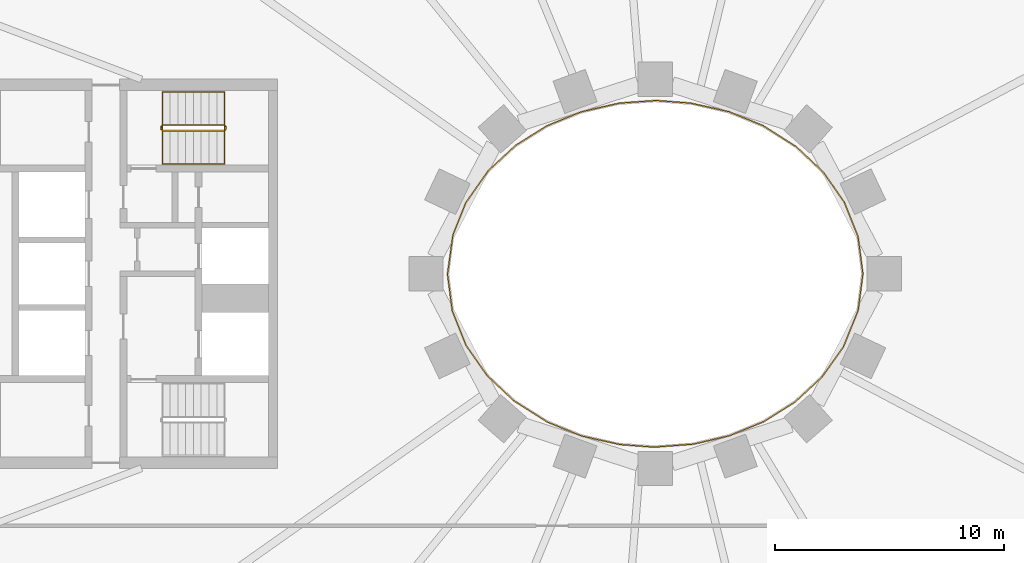
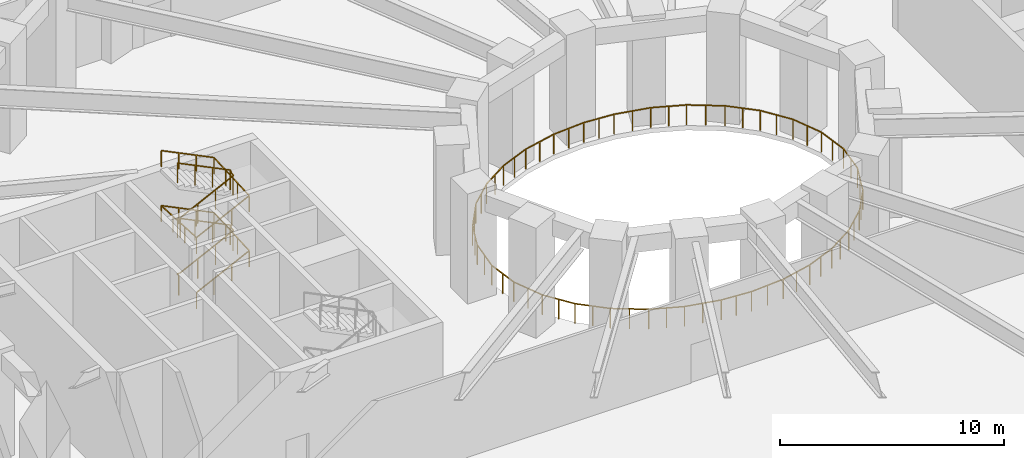
# One storey, part 65 of 74: 3 railings.
"""IFC4 building model written with IfcOpenShell, lengths in metres."""

from ifc_helpers import new_model, si_unit, direction, frame, origin, origin_2d, place, context, subcontext, project, spatial, rectangle, extrude, material, type_object, element, save


model = new_model("IFC4")

# Units and contexts
model_context = context("Model", 3, precision=1e-05, world=origin(), true_north=direction((0.0, 1.0)))
body_context = subcontext(model_context, "Body", "Model", "MODEL_VIEW")
ifc_project = project(units=[si_unit("LENGTHUNIT", "METRE"), si_unit("AREAUNIT", "SQUARE_METRE"), si_unit("VOLUMEUNIT", "CUBIC_METRE"), si_unit("PLANEANGLEUNIT", "RADIAN"), si_unit("MASSUNIT", "GRAM", prefix="KILO")], contexts=[model_context])

# Site, building, storey
site_placement = place(None, origin())
site = spatial("IfcSite", under=ifc_project, at=site_placement, CompositionType="ELEMENT")
building_placement = place(site_placement, origin())
building = spatial("IfcBuilding", under=site, at=building_placement, Name="Noorbagh Ring Tower", CompositionType="ELEMENT")
storey_placement = place(building_placement, frame((0.0, 0.0, 7.5)))
storey = spatial("IfcBuildingStorey", under=building, at=storey_placement, Name="L01", CompositionType="ELEMENT", Elevation=7.5)

# Railings
ifc_material_1 = material(Name="Stainless steel", Category="steel")
railing_type_1 = type_object("IfcRailingType", Name="CORE-STAIR-GUARD", PredefinedType="GUARDRAIL", material=ifc_material_1)
railing_1_placement = place(storey_placement, frame((-21.580078125, 6.300048828125, 0.0)))
element("IfcRailing", 1, at=railing_1_placement, inside=storey, type_object=railing_type_1, Name="L01 ST1 stair guard", PredefinedType="GUARDRAIL", context=body_context, shape_type="SweptSolid", body=[
    extrude(rectangle(XDim=0.048095703125, YDim=0.048095703125, at=origin_2d()), frame((0.0, 0.0, 1.076171875), z_axis=(0.0, 1.0, 0.0), x_axis=(-1.0, 0.0, 0.0)), (0.0, 0.0, 1.0), 0.14990234375),
    extrude(rectangle(XDim=0.048095703125, YDim=0.048095703125, at=origin_2d()), frame((0.0, 0.14990234375, 1.076171875), z_axis=(0.188775798145, -0.754182335027, 0.628945707965), x_axis=(0.970072785993, 0.242814311512, 0.0)), (0.0, 0.0, 1.0), 0.26513671875),
    extrude(rectangle(XDim=0.048095703125, YDim=0.048095703125, at=origin_2d()), frame((0.050048828125, -0.050048828125, 1.24267578125), z_axis=(0.897929466783, 0.0, 0.4401393787), x_axis=(0.0, 1.0, 0.0)), (0.0, 0.0, 1.0), 3.029052734375),
    extrude(rectangle(XDim=0.048095703125, YDim=0.048095703125, at=origin_2d()), frame((2.77001953125, -0.050048828125, 2.576171875), z_axis=(0.707106781187, 0.707106781187, 0.0), x_axis=(-0.707106781187, 0.707106781187, 0.0)), (0.0, 0.0, 1.0), 0.07080078125),
    extrude(rectangle(XDim=0.048095703125, YDim=0.048095703125, at=origin_2d()), frame((2.820068359375, 0.0, 2.576171875), z_axis=(0.0, 1.0, 0.0), x_axis=(-1.0, 0.0, 0.0)), (0.0, 0.0, 1.0), 0.14990234375),
    extrude(rectangle(XDim=0.048095703125, YDim=0.048095703125, at=origin_2d()), frame((2.820068359375, 0.14990234375, 2.576171875), z_axis=(-0.27628659633, 0.27628659633, 0.920506074601), x_axis=(-0.707106781187, -0.707106781187, 0.0)), (0.0, 0.0, 1.0), 0.18115234375),
    extrude(rectangle(XDim=0.048095703125, YDim=0.048095703125, at=origin_2d()), frame((2.77001953125, 0.199951171875, 2.74267578125), z_axis=(-0.897929466783, 0.0, 0.4401393787), x_axis=(0.0, -1.0, 0.0)), (0.0, 0.0, 1.0), 3.029052734375),
    extrude(rectangle(XDim=0.048095703125, YDim=0.048095703125, at=origin_2d()), frame((0.050048828125, 0.199951171875, 4.076171875), z_axis=(-0.242814311512, -0.970072785993, 0.0), x_axis=(0.970072785993, -0.242814311512, 0.0)), (0.0, 0.0, 1.0), 0.2060546875),
    extrude(rectangle(XDim=0.048095703125, YDim=0.048095703125, at=origin_2d()), frame((0.0, 0.0, 4.076171875), z_axis=(0.0, 1.0, 0.0), x_axis=(-1.0, 0.0, 0.0)), (0.0, 0.0, 1.0), 0.14990234375),
    extrude(rectangle(XDim=0.048095703125, YDim=0.048095703125, at=origin_2d()), frame((0.0, 0.14990234375, 4.076171875), z_axis=(0.188775798145, -0.754182335027, 0.628945707965), x_axis=(0.970072785993, 0.242814311512, 0.0)), (0.0, 0.0, 1.0), 0.26513671875),
    extrude(rectangle(XDim=0.048095703125, YDim=0.048095703125, at=origin_2d()), frame((0.050048828125, -0.050048828125, 4.24267578125), z_axis=(0.897929466783, 0.0, 0.4401393787), x_axis=(0.0, 1.0, 0.0)), (0.0, 0.0, 1.0), 3.029052734375),
    extrude(rectangle(XDim=0.048095703125, YDim=0.048095703125, at=origin_2d()), frame((2.77001953125, -0.050048828125, 5.576171875), z_axis=(0.707106781187, 0.707106781187, 0.0), x_axis=(-0.707106781187, 0.707106781187, 0.0)), (0.0, 0.0, 1.0), 0.07080078125),
    extrude(rectangle(XDim=0.048095703125, YDim=0.048095703125, at=origin_2d()), frame((2.820068359375, 0.0, 5.576171875), z_axis=(0.0, 1.0, 0.0), x_axis=(-1.0, 0.0, 0.0)), (0.0, 0.0, 1.0), 0.14990234375),
    extrude(rectangle(XDim=0.048095703125, YDim=0.048095703125, at=origin_2d()), frame((2.820068359375, 0.14990234375, 5.576171875), z_axis=(-0.27628659633, 0.27628659633, 0.920506074601), x_axis=(-0.707106781187, -0.707106781187, 0.0)), (0.0, 0.0, 1.0), 0.18115234375),
    extrude(rectangle(XDim=0.048095703125, YDim=0.048095703125, at=origin_2d()), frame((2.77001953125, 0.199951171875, 5.74267578125), z_axis=(-0.897929466783, 0.0, 0.4401393787), x_axis=(0.0, -1.0, 0.0)), (0.0, 0.0, 1.0), 3.029052734375),
    extrude(rectangle(XDim=0.0419921875, YDim=0.0419921875, at=origin_2d()), origin(), (0.0, 0.0, 1.0), 1.052001953125),
    extrude(rectangle(XDim=0.0419921875, YDim=0.0419921875, at=origin_2d()), frame((0.956787109375, -0.050048828125, 0.611083984375)), (0.0, 0.0, 1.0), 1.052001953125),
    extrude(rectangle(XDim=0.0419921875, YDim=0.0419921875, at=origin_2d()), frame((1.86328125, -0.050048828125, 1.0556640625)), (0.0, 0.0, 1.0), 1.052001953125),
    extrude(rectangle(XDim=0.0419921875, YDim=0.0419921875, at=origin_2d()), frame((2.77001953125, -0.050048828125, 1.5)), (0.0, 0.0, 1.0), 1.052001953125),
    extrude(rectangle(XDim=0.0419921875, YDim=0.0419921875, at=origin_2d()), frame((2.77001953125, 0.199951171875, 1.666748046875)), (0.0, 0.0, 1.0), 1.052001953125),
    extrude(rectangle(XDim=0.0419921875, YDim=0.0419921875, at=origin_2d()), frame((1.86328125, 0.199951171875, 2.111083984375)), (0.0, 0.0, 1.0), 1.052001953125),
    extrude(rectangle(XDim=0.0419921875, YDim=0.0419921875, at=origin_2d()), frame((0.956787109375, 0.199951171875, 2.5556640625)), (0.0, 0.0, 1.0), 1.052001953125),
    extrude(rectangle(XDim=0.0419921875, YDim=0.0419921875, at=origin_2d()), frame((0.050048828125, 0.199951171875, 3.0)), (0.0, 0.0, 1.0), 1.052001953125),
    extrude(rectangle(XDim=0.0419921875, YDim=0.0419921875, at=origin_2d()), frame((0.050048828125, -0.050048828125, 3.166748046875)), (0.0, 0.0, 1.0), 1.052001953125),
    extrude(rectangle(XDim=0.0419921875, YDim=0.0419921875, at=origin_2d()), frame((0.956787109375, -0.050048828125, 3.611083984375)), (0.0, 0.0, 1.0), 1.052001953125),
    extrude(rectangle(XDim=0.0419921875, YDim=0.0419921875, at=origin_2d()), frame((1.86328125, -0.050048828125, 4.0556640625)), (0.0, 0.0, 1.0), 1.052001953125),
    extrude(rectangle(XDim=0.0419921875, YDim=0.0419921875, at=origin_2d()), frame((2.77001953125, -0.050048828125, 4.5)), (0.0, 0.0, 1.0), 1.052001953125),
    extrude(rectangle(XDim=0.0419921875, YDim=0.0419921875, at=origin_2d()), frame((2.77001953125, 0.199951171875, 4.666748046875)), (0.0, 0.0, 1.0), 1.052001953125),
    extrude(rectangle(XDim=0.0419921875, YDim=0.0419921875, at=origin_2d()), frame((1.86328125, 0.199951171875, 5.111083984375)), (0.0, 0.0, 1.0), 1.052001953125),
    extrude(rectangle(XDim=0.0419921875, YDim=0.0419921875, at=origin_2d()), frame((0.956787109375, 0.199951171875, 5.5556640625)), (0.0, 0.0, 1.0), 1.052001953125),
    extrude(rectangle(XDim=0.0419921875, YDim=0.0419921875, at=origin_2d()), frame((0.050048828125, 0.199951171875, 6.0)), (0.0, 0.0, 1.0), 1.052001953125),
])
ifc_material_2 = material(Name="Stainless steel", Category="steel")
railing_type_2 = type_object("IfcRailingType", Name="CORE-STAIR-HANDRAIL", PredefinedType="HANDRAIL", material=ifc_material_2)
railing_2_placement = place(storey_placement, frame((-21.530029296875, 4.800048828125, 0.166748046875)))
element("IfcRailing", 2, at=railing_2_placement, inside=storey, type_object=railing_type_2, Name="L01 ST1 stair handrail", PredefinedType="HANDRAIL", context=body_context, shape_type="SweptSolid", body=[
    extrude(rectangle(XDim=0.048095703125, YDim=0.048095703125, at=origin_2d()), frame((0.0, 0.0, 0.8759765625), z_axis=(0.897929466783, 0.0, 0.4401393787), x_axis=(0.0, 1.0, 0.0)), (0.0, 0.0, 1.0), 3.029052734375),
    extrude(rectangle(XDim=0.048095703125, YDim=0.048095703125, at=origin_2d()), frame((2.719970703125, 0.0, 2.208984375), z_axis=(0.0, 0.998601747152, 0.052863509014), x_axis=(-1.0, 0.0, 0.0)), (0.0, 0.0, 1.0), 3.154296875),
    extrude(rectangle(XDim=0.048095703125, YDim=0.048095703125, at=origin_2d()), frame((2.719970703125, 3.14990234375, 2.3759765625), z_axis=(-0.897929466783, 0.0, 0.4401393787), x_axis=(0.0, -1.0, 0.0)), (0.0, 0.0, 1.0), 3.029052734375),
    extrude(rectangle(XDim=0.048095703125, YDim=0.048095703125, at=origin_2d()), frame((0.0, 3.14990234375, 3.708984375), z_axis=(0.0, -0.998601747152, 0.052863509014), x_axis=(1.0, 0.0, 0.0)), (0.0, 0.0, 1.0), 3.154296875),
    extrude(rectangle(XDim=0.048095703125, YDim=0.048095703125, at=origin_2d()), frame((0.0, 0.0, 3.8759765625), z_axis=(0.897929466783, 0.0, 0.4401393787), x_axis=(0.0, 1.0, 0.0)), (0.0, 0.0, 1.0), 3.029052734375),
    extrude(rectangle(XDim=0.048095703125, YDim=0.048095703125, at=origin_2d()), frame((2.719970703125, 0.0, 5.208984375), z_axis=(0.0, 0.998601747152, 0.052863509014), x_axis=(-1.0, 0.0, 0.0)), (0.0, 0.0, 1.0), 3.154296875),
    extrude(rectangle(XDim=0.048095703125, YDim=0.048095703125, at=origin_2d()), frame((2.719970703125, 3.14990234375, 5.3759765625), z_axis=(-0.897929466783, 0.0, 0.4401393787), x_axis=(0.0, -1.0, 0.0)), (0.0, 0.0, 1.0), 3.029052734375),
    extrude(rectangle(XDim=0.0419921875, YDim=0.0419921875, at=origin_2d()), origin(), (0.0, 0.0, 1.0), 0.851806640625),
    extrude(rectangle(XDim=0.0419921875, YDim=0.0419921875, at=origin_2d()), frame((0.90673828125, 0.0, 0.4443359375)), (0.0, 0.0, 1.0), 0.851806640625),
    extrude(rectangle(XDim=0.0419921875, YDim=0.0419921875, at=origin_2d()), frame((1.813232421875, 0.0, 0.888916015625)), (0.0, 0.0, 1.0), 0.851806640625),
    extrude(rectangle(XDim=0.0419921875, YDim=0.0419921875, at=origin_2d()), frame((2.719970703125, 0.0, 1.333251953125)), (0.0, 0.0, 1.0), 0.851806640625),
    extrude(rectangle(XDim=0.0419921875, YDim=0.0419921875, at=origin_2d()), frame((2.719970703125, 1.050048828125, 1.388916015625)), (0.0, 0.0, 1.0), 0.851806640625),
    extrude(rectangle(XDim=0.0419921875, YDim=0.0419921875, at=origin_2d()), frame((2.719970703125, 2.099853515625, 1.4443359375)), (0.0, 0.0, 1.0), 0.851806640625),
    extrude(rectangle(XDim=0.0419921875, YDim=0.0419921875, at=origin_2d()), frame((2.719970703125, 3.14990234375, 1.5)), (0.0, 0.0, 1.0), 0.851806640625),
    extrude(rectangle(XDim=0.0419921875, YDim=0.0419921875, at=origin_2d()), frame((1.813232421875, 3.14990234375, 1.9443359375)), (0.0, 0.0, 1.0), 0.851806640625),
    extrude(rectangle(XDim=0.0419921875, YDim=0.0419921875, at=origin_2d()), frame((0.90673828125, 3.14990234375, 2.388916015625)), (0.0, 0.0, 1.0), 0.851806640625),
    extrude(rectangle(XDim=0.0419921875, YDim=0.0419921875, at=origin_2d()), frame((0.0, 3.14990234375, 2.833251953125)), (0.0, 0.0, 1.0), 0.851806640625),
    extrude(rectangle(XDim=0.0419921875, YDim=0.0419921875, at=origin_2d()), frame((0.0, 2.099853515625, 2.888916015625)), (0.0, 0.0, 1.0), 0.851806640625),
    extrude(rectangle(XDim=0.0419921875, YDim=0.0419921875, at=origin_2d()), frame((0.0, 1.050048828125, 2.9443359375)), (0.0, 0.0, 1.0), 0.851806640625),
    extrude(rectangle(XDim=0.0419921875, YDim=0.0419921875, at=origin_2d()), frame((0.0, 0.0, 3.0)), (0.0, 0.0, 1.0), 0.851806640625),
    extrude(rectangle(XDim=0.0419921875, YDim=0.0419921875, at=origin_2d()), frame((0.90673828125, 0.0, 3.4443359375)), (0.0, 0.0, 1.0), 0.851806640625),
    extrude(rectangle(XDim=0.0419921875, YDim=0.0419921875, at=origin_2d()), frame((1.813232421875, 0.0, 3.888916015625)), (0.0, 0.0, 1.0), 0.851806640625),
    extrude(rectangle(XDim=0.0419921875, YDim=0.0419921875, at=origin_2d()), frame((2.719970703125, 0.0, 4.333251953125)), (0.0, 0.0, 1.0), 0.851806640625),
    extrude(rectangle(XDim=0.0419921875, YDim=0.0419921875, at=origin_2d()), frame((2.719970703125, 1.050048828125, 4.388916015625)), (0.0, 0.0, 1.0), 0.851806640625),
    extrude(rectangle(XDim=0.0419921875, YDim=0.0419921875, at=origin_2d()), frame((2.719970703125, 2.099853515625, 4.4443359375)), (0.0, 0.0, 1.0), 0.851806640625),
    extrude(rectangle(XDim=0.0419921875, YDim=0.0419921875, at=origin_2d()), frame((2.719970703125, 3.14990234375, 4.5)), (0.0, 0.0, 1.0), 0.851806640625),
    extrude(rectangle(XDim=0.0419921875, YDim=0.0419921875, at=origin_2d()), frame((1.813232421875, 3.14990234375, 4.9443359375)), (0.0, 0.0, 1.0), 0.851806640625),
    extrude(rectangle(XDim=0.0419921875, YDim=0.0419921875, at=origin_2d()), frame((0.90673828125, 3.14990234375, 5.388916015625)), (0.0, 0.0, 1.0), 0.851806640625),
    extrude(rectangle(XDim=0.0419921875, YDim=0.0419921875, at=origin_2d()), frame((0.0, 3.14990234375, 5.833251953125)), (0.0, 0.0, 1.0), 0.851806640625),
])
ifc_material_3 = material(Name="Stainless steel", Category="steel")
railing_type_3 = type_object("IfcRailingType", Name="DECK-GUARD", PredefinedType="GUARDRAIL", material=ifc_material_3)
railing_3_placement = place(storey_placement, frame((4.731689453125, -6.464111328125, 0.0)))
element("IfcRailing", 3, at=railing_3_placement, inside=storey, type_object=railing_type_3, Name="Court edge guard 1", PredefinedType="GUARDRAIL", context=body_context, shape_type="SweptSolid", body=[
    extrude(rectangle(XDim=0.048095703125, YDim=0.048095703125, at=origin_2d()), frame((0.0, 0.0, 1.076171875), z_axis=(-0.925578297012, -0.37855622581, 0.0), x_axis=(0.37855622581, -0.925578297012, 0.0)), (0.0, 0.0, 1.0), 1.613037109375),
    extrude(rectangle(XDim=0.048095703125, YDim=0.048095703125, at=origin_2d()), frame((-1.492919921875, -0.610595703125, 1.076171875), z_axis=(-0.973575816781, -0.22836402733, 0.0), x_axis=(0.22836402733, -0.973575816781, 0.0)), (0.0, 0.0, 1.0), 1.612060546875),
    extrude(rectangle(XDim=0.048095703125, YDim=0.048095703125, at=origin_2d()), frame((-3.0625, -0.978759765625, 1.076171875), z_axis=(-0.997167139614, -0.075217655334, 0.0), x_axis=(0.075217655334, -0.997167139614, 0.0)), (0.0, 0.0, 1.0), 1.717041015625),
    extrude(rectangle(XDim=0.048095703125, YDim=0.048095703125, at=origin_2d()), frame((-4.774658203125, -1.10791015625, 1.076171875), z_axis=(-0.997155622532, 0.075370182782, 0.0), x_axis=(-0.075370182782, -0.997155622532, 0.0)), (0.0, 0.0, 1.0), 1.50634765625),
    extrude(rectangle(XDim=0.048095703125, YDim=0.048095703125, at=origin_2d()), frame((-6.276611328125, -0.994384765625, 1.076171875), z_axis=(-0.975669097813, 0.2192482875, 0.0), x_axis=(-0.2192482875, -0.975669097813, 0.0)), (0.0, 0.0, 1.0), 1.717041015625),
    extrude(rectangle(XDim=0.048095703125, YDim=0.048095703125, at=origin_2d()), frame((-7.951904296875, -0.617919921875, 1.076171875), z_axis=(-0.925652998408, 0.378373527799, 0.0), x_axis=(-0.378373527799, -0.925652998408, 0.0)), (0.0, 0.0, 1.0), 1.613037109375),
    extrude(rectangle(XDim=0.048095703125, YDim=0.048095703125, at=origin_2d()), frame((-9.445068359375, -0.007568359375, 1.076171875), z_axis=(-0.844566526835, 0.535450634279, 0.0), x_axis=(-0.535450634279, -0.844566526835, 0.0)), (0.0, 0.0, 1.0), 1.719482421875),
    extrude(rectangle(XDim=0.048095703125, YDim=0.048095703125, at=origin_2d()), frame((-10.897216796875, 0.9130859375, 1.076171875), z_axis=(-0.72876347067, 0.684765510096, 0.0), x_axis=(-0.684765510096, -0.72876347067, 0.0)), (0.0, 0.0, 1.0), 1.61474609375),
    extrude(rectangle(XDim=0.048095703125, YDim=0.048095703125, at=origin_2d()), frame((-12.073974609375, 2.018798828125, 1.076171875), z_axis=(-0.571869677107, 0.820344483985, 0.0), x_axis=(-0.820344483985, -0.571869677107, 0.0)), (0.0, 0.0, 1.0), 1.6162109375),
    extrude(rectangle(XDim=0.048095703125, YDim=0.048095703125, at=origin_2d()), frame((-12.998291015625, 3.3447265625, 1.076171875), z_axis=(-0.369933542229, 0.929058219023, 0.0), x_axis=(-0.929058219023, -0.369933542229, 0.0)), (0.0, 0.0, 1.0), 1.6181640625),
    extrude(rectangle(XDim=0.048095703125, YDim=0.048095703125, at=origin_2d()), frame((-13.596923828125, 4.84814453125, 1.076171875), z_axis=(-0.128765472629, 0.991675074336, 0.0), x_axis=(-0.991675074336, -0.128765472629, 0.0)), (0.0, 0.0, 1.0), 1.619140625),
    extrude(rectangle(XDim=0.048095703125, YDim=0.048095703125, at=origin_2d()), frame((-13.805419921875, 6.453857421875, 1.076171875), z_axis=(0.138470278675, 0.990366589665, 0.0), x_axis=(-0.990366589665, 0.138470278675, 0.0)), (0.0, 0.0, 1.0), 1.72607421875),
    extrude(rectangle(XDim=0.048095703125, YDim=0.048095703125, at=origin_2d()), frame((-13.56640625, 8.163330078125, 1.076171875), z_axis=(0.371306990602, 0.928510160812, 0.0), x_axis=(-0.928510160812, 0.371306990602, 0.0)), (0.0, 0.0, 1.0), 1.509033203125),
    extrude(rectangle(XDim=0.048095703125, YDim=0.048095703125, at=origin_2d()), frame((-13.006103515625, 9.564453125, 1.076171875), z_axis=(0.573937677408, 0.818898981836, 0.0), x_axis=(-0.818898981836, 0.573937677408, 0.0)), (0.0, 0.0, 1.0), 1.72314453125),
    extrude(rectangle(XDim=0.048095703125, YDim=0.048095703125, at=origin_2d()), frame((-12.01708984375, 10.9755859375, 1.076171875), z_axis=(0.734525137846, 0.678581477697, 0.0), x_axis=(-0.678581477697, 0.734525137846, 0.0)), (0.0, 0.0, 1.0), 1.61474609375),
    extrude(rectangle(XDim=0.048095703125, YDim=0.048095703125, at=origin_2d()), frame((-10.8310546875, 12.0712890625, 1.076171875), z_axis=(0.847402896005, 0.530950404316, 0.0), x_axis=(-0.530950404316, 0.847402896005, 0.0)), (0.0, 0.0, 1.0), 1.614013671875),
    extrude(rectangle(XDim=0.048095703125, YDim=0.048095703125, at=origin_2d()), frame((-9.46337890625, 12.92822265625, 1.076171875), z_axis=(0.925578297012, 0.37855622581, 0.0), x_axis=(-0.37855622581, 0.925578297012, 0.0)), (0.0, 0.0, 1.0), 1.613037109375),
    extrude(rectangle(XDim=0.048095703125, YDim=0.048095703125, at=origin_2d()), frame((-7.970458984375, 13.538818359375, 1.076171875), z_axis=(0.974906126965, 0.222616359701, 0.0), x_axis=(-0.222616359701, 0.974906126965, 0.0)), (0.0, 0.0, 1.0), 1.717529296875),
    extrude(rectangle(XDim=0.048095703125, YDim=0.048095703125, at=origin_2d()), frame((-6.296142578125, 13.921142578125, 1.076171875), z_axis=(0.997451003858, 0.071354711849, 0.0), x_axis=(-0.071354711849, 0.997451003858, 0.0)), (0.0, 0.0, 1.0), 1.611572265625),
    extrude(rectangle(XDim=0.048095703125, YDim=0.048095703125, at=origin_2d()), frame((-4.688720703125, 14.0361328125, 1.076171875), z_axis=(0.997155622532, -0.075370182782, 0.0), x_axis=(0.075370182782, 0.997155622532, 0.0)), (0.0, 0.0, 1.0), 1.50634765625),
    extrude(rectangle(XDim=0.048095703125, YDim=0.048095703125, at=origin_2d()), frame((-3.186767578125, 13.922607421875, 1.076171875), z_axis=(0.975669097813, -0.2192482875, 0.0), x_axis=(0.2192482875, 0.975669097813, 0.0)), (0.0, 0.0, 1.0), 1.717041015625),
    extrude(rectangle(XDim=0.048095703125, YDim=0.048095703125, at=origin_2d()), frame((-1.511474609375, 13.546142578125, 1.076171875), z_axis=(0.925652998408, -0.378373527799, 0.0), x_axis=(0.378373527799, 0.925652998408, 0.0)), (0.0, 0.0, 1.0), 1.613037109375),
    extrude(rectangle(XDim=0.048095703125, YDim=0.048095703125, at=origin_2d()), frame((-0.018310546875, 12.935791015625, 1.076171875), z_axis=(0.844566526835, -0.535450634279, 0.0), x_axis=(0.535450634279, 0.844566526835, 0.0)), (0.0, 0.0, 1.0), 1.719482421875),
    extrude(rectangle(XDim=0.048095703125, YDim=0.048095703125, at=origin_2d()), frame((1.433837890625, 12.01513671875, 1.076171875), z_axis=(0.72876347067, -0.684765510096, 0.0), x_axis=(0.684765510096, 0.72876347067, 0.0)), (0.0, 0.0, 1.0), 1.61474609375),
    extrude(rectangle(XDim=0.048095703125, YDim=0.048095703125, at=origin_2d()), frame((2.610595703125, 10.909423828125, 1.076171875), z_axis=(0.571869677107, -0.820344483985, 0.0), x_axis=(0.820344483985, 0.571869677107, 0.0)), (0.0, 0.0, 1.0), 1.6162109375),
    extrude(rectangle(XDim=0.048095703125, YDim=0.048095703125, at=origin_2d()), frame((3.534912109375, 9.58349609375, 1.076171875), z_axis=(0.369933542229, -0.929058219023, 0.0), x_axis=(0.929058219023, 0.369933542229, 0.0)), (0.0, 0.0, 1.0), 1.6181640625),
    extrude(rectangle(XDim=0.048095703125, YDim=0.048095703125, at=origin_2d()), frame((4.133544921875, 8.080078125, 1.076171875), z_axis=(0.128765472629, -0.991675074336, 0.0), x_axis=(0.991675074336, 0.128765472629, 0.0)), (0.0, 0.0, 1.0), 1.619140625),
    extrude(rectangle(XDim=0.048095703125, YDim=0.048095703125, at=origin_2d()), frame((4.342041015625, 6.474365234375, 1.076171875), z_axis=(-0.100164851189, -0.994970855144, 0.0), x_axis=(0.994970855144, -0.100164851189, 0.0)), (0.0, 0.0, 1.0), 0.109619140625),
    extrude(rectangle(XDim=0.048095703125, YDim=0.048095703125, at=origin_2d()), frame((4.3310546875, 6.365234375, 1.076171875), z_axis=(-0.129069510338, -0.991635548728, 0.0), x_axis=(0.991635548728, -0.129069510338, 0.0)), (0.0, 0.0, 1.0), 1.509521484375),
    extrude(rectangle(XDim=0.048095703125, YDim=0.048095703125, at=origin_2d()), frame((4.13623046875, 4.868408203125, 1.076171875), z_axis=(-0.374804706574, -0.927103787032, 0.0), x_axis=(0.927103787032, -0.374804706574, 0.0)), (0.0, 0.0, 1.0), 1.724853515625),
    extrude(rectangle(XDim=0.048095703125, YDim=0.048095703125, at=origin_2d()), frame((3.48974609375, 3.269287109375, 1.076171875), z_axis=(-0.57942117992, -0.815028279423, 0.0), x_axis=(0.815028279423, -0.57942117992, 0.0)), (0.0, 0.0, 1.0), 1.615478515625),
    extrude(rectangle(XDim=0.048095703125, YDim=0.048095703125, at=origin_2d()), frame((2.5537109375, 1.95263671875, 1.076171875), z_axis=(-0.734525137846, -0.678581477697, 0.0), x_axis=(0.678581477697, -0.734525137846, 0.0)), (0.0, 0.0, 1.0), 1.61474609375),
    extrude(rectangle(XDim=0.048095703125, YDim=0.048095703125, at=origin_2d()), frame((1.36767578125, 0.85693359375, 1.076171875), z_axis=(-0.847402896005, -0.530950404316, 0.0), x_axis=(0.530950404316, -0.847402896005, 0.0)), (0.0, 0.0, 1.0), 1.614013671875),
    extrude(rectangle(XDim=0.0419921875, YDim=0.0419921875, at=origin_2d()), origin(), (0.0, 0.0, 1.0), 1.052001953125),
    extrude(rectangle(XDim=0.0419921875, YDim=0.0419921875, at=origin_2d()), frame((-0.74658203125, -0.30517578125, 0.0)), (0.0, 0.0, 1.0), 1.052001953125),
    extrude(rectangle(XDim=0.0419921875, YDim=0.0419921875, at=origin_2d()), frame((-1.492919921875, -0.610595703125, 0.0)), (0.0, 0.0, 1.0), 1.052001953125),
    extrude(rectangle(XDim=0.0419921875, YDim=0.0419921875, at=origin_2d()), frame((-2.27783203125, -0.794677734375, 0.0)), (0.0, 0.0, 1.0), 1.052001953125),
    extrude(rectangle(XDim=0.0419921875, YDim=0.0419921875, at=origin_2d()), frame((-3.0625, -0.978759765625, 0.0)), (0.0, 0.0, 1.0), 1.052001953125),
    extrude(rectangle(XDim=0.0419921875, YDim=0.0419921875, at=origin_2d()), frame((-3.91845703125, -1.04345703125, 0.0)), (0.0, 0.0, 1.0), 1.052001953125),
    extrude(rectangle(XDim=0.0419921875, YDim=0.0419921875, at=origin_2d()), frame((-4.774658203125, -1.10791015625, 0.0)), (0.0, 0.0, 1.0), 1.052001953125),
    extrude(rectangle(XDim=0.0419921875, YDim=0.0419921875, at=origin_2d()), frame((-5.525634765625, -1.05126953125, 0.0)), (0.0, 0.0, 1.0), 1.052001953125),
    extrude(rectangle(XDim=0.0419921875, YDim=0.0419921875, at=origin_2d()), frame((-6.276611328125, -0.994384765625, 0.0)), (0.0, 0.0, 1.0), 1.052001953125),
    extrude(rectangle(XDim=0.0419921875, YDim=0.0419921875, at=origin_2d()), frame((-7.1142578125, -0.80615234375, 0.0)), (0.0, 0.0, 1.0), 1.052001953125),
    extrude(rectangle(XDim=0.0419921875, YDim=0.0419921875, at=origin_2d()), frame((-7.951904296875, -0.617919921875, 0.0)), (0.0, 0.0, 1.0), 1.052001953125),
    extrude(rectangle(XDim=0.0419921875, YDim=0.0419921875, at=origin_2d()), frame((-8.698486328125, -0.312744140625, 0.0)), (0.0, 0.0, 1.0), 1.052001953125),
    extrude(rectangle(XDim=0.0419921875, YDim=0.0419921875, at=origin_2d()), frame((-9.445068359375, -0.007568359375, 0.0)), (0.0, 0.0, 1.0), 1.052001953125),
    extrude(rectangle(XDim=0.0419921875, YDim=0.0419921875, at=origin_2d()), frame((-10.171142578125, 0.45263671875, 0.0)), (0.0, 0.0, 1.0), 1.052001953125),
    extrude(rectangle(XDim=0.0419921875, YDim=0.0419921875, at=origin_2d()), frame((-10.897216796875, 0.9130859375, 0.0)), (0.0, 0.0, 1.0), 1.052001953125),
    extrude(rectangle(XDim=0.0419921875, YDim=0.0419921875, at=origin_2d()), frame((-11.485595703125, 1.4658203125, 0.0)), (0.0, 0.0, 1.0), 1.052001953125),
    extrude(rectangle(XDim=0.0419921875, YDim=0.0419921875, at=origin_2d()), frame((-12.073974609375, 2.018798828125, 0.0)), (0.0, 0.0, 1.0), 1.052001953125),
    extrude(rectangle(XDim=0.0419921875, YDim=0.0419921875, at=origin_2d()), frame((-12.5361328125, 2.681640625, 0.0)), (0.0, 0.0, 1.0), 1.052001953125),
    extrude(rectangle(XDim=0.0419921875, YDim=0.0419921875, at=origin_2d()), frame((-12.998291015625, 3.3447265625, 0.0)), (0.0, 0.0, 1.0), 1.052001953125),
    extrude(rectangle(XDim=0.0419921875, YDim=0.0419921875, at=origin_2d()), frame((-13.297607421875, 4.096435546875, 0.0)), (0.0, 0.0, 1.0), 1.052001953125),
    extrude(rectangle(XDim=0.0419921875, YDim=0.0419921875, at=origin_2d()), frame((-13.596923828125, 4.84814453125, 0.0)), (0.0, 0.0, 1.0), 1.052001953125),
    extrude(rectangle(XDim=0.0419921875, YDim=0.0419921875, at=origin_2d()), frame((-13.701171875, 5.65087890625, 0.0)), (0.0, 0.0, 1.0), 1.052001953125),
    extrude(rectangle(XDim=0.0419921875, YDim=0.0419921875, at=origin_2d()), frame((-13.805419921875, 6.453857421875, 0.0)), (0.0, 0.0, 1.0), 1.052001953125),
    extrude(rectangle(XDim=0.0419921875, YDim=0.0419921875, at=origin_2d()), frame((-13.68603515625, 7.30859375, 0.0)), (0.0, 0.0, 1.0), 1.052001953125),
    extrude(rectangle(XDim=0.0419921875, YDim=0.0419921875, at=origin_2d()), frame((-13.56640625, 8.163330078125, 0.0)), (0.0, 0.0, 1.0), 1.052001953125),
    extrude(rectangle(XDim=0.0419921875, YDim=0.0419921875, at=origin_2d()), frame((-13.2861328125, 8.86376953125, 0.0)), (0.0, 0.0, 1.0), 1.052001953125),
    extrude(rectangle(XDim=0.0419921875, YDim=0.0419921875, at=origin_2d()), frame((-13.006103515625, 9.564453125, 0.0)), (0.0, 0.0, 1.0), 1.052001953125),
    extrude(rectangle(XDim=0.0419921875, YDim=0.0419921875, at=origin_2d()), frame((-12.51171875, 10.27001953125, 0.0)), (0.0, 0.0, 1.0), 1.052001953125),
    extrude(rectangle(XDim=0.0419921875, YDim=0.0419921875, at=origin_2d()), frame((-12.01708984375, 10.9755859375, 0.0)), (0.0, 0.0, 1.0), 1.052001953125),
    extrude(rectangle(XDim=0.0419921875, YDim=0.0419921875, at=origin_2d()), frame((-11.424072265625, 11.5234375, 0.0)), (0.0, 0.0, 1.0), 1.052001953125),
    extrude(rectangle(XDim=0.0419921875, YDim=0.0419921875, at=origin_2d()), frame((-10.8310546875, 12.0712890625, 0.0)), (0.0, 0.0, 1.0), 1.052001953125),
    extrude(rectangle(XDim=0.0419921875, YDim=0.0419921875, at=origin_2d()), frame((-10.147216796875, 12.499755859375, 0.0)), (0.0, 0.0, 1.0), 1.052001953125),
    extrude(rectangle(XDim=0.0419921875, YDim=0.0419921875, at=origin_2d()), frame((-9.46337890625, 12.92822265625, 0.0)), (0.0, 0.0, 1.0), 1.052001953125),
    extrude(rectangle(XDim=0.0419921875, YDim=0.0419921875, at=origin_2d()), frame((-8.716796875, 13.2333984375, 0.0)), (0.0, 0.0, 1.0), 1.052001953125),
    extrude(rectangle(XDim=0.0419921875, YDim=0.0419921875, at=origin_2d()), frame((-7.970458984375, 13.538818359375, 0.0)), (0.0, 0.0, 1.0), 1.052001953125),
    extrude(rectangle(XDim=0.0419921875, YDim=0.0419921875, at=origin_2d()), frame((-7.13330078125, 13.72998046875, 0.0)), (0.0, 0.0, 1.0), 1.052001953125),
    extrude(rectangle(XDim=0.0419921875, YDim=0.0419921875, at=origin_2d()), frame((-6.296142578125, 13.921142578125, 0.0)), (0.0, 0.0, 1.0), 1.052001953125),
    extrude(rectangle(XDim=0.0419921875, YDim=0.0419921875, at=origin_2d()), frame((-5.492431640625, 13.978515625, 0.0)), (0.0, 0.0, 1.0), 1.052001953125),
    extrude(rectangle(XDim=0.0419921875, YDim=0.0419921875, at=origin_2d()), frame((-4.688720703125, 14.0361328125, 0.0)), (0.0, 0.0, 1.0), 1.052001953125),
    extrude(rectangle(XDim=0.0419921875, YDim=0.0419921875, at=origin_2d()), frame((-3.937744140625, 13.9794921875, 0.0)), (0.0, 0.0, 1.0), 1.052001953125),
    extrude(rectangle(XDim=0.0419921875, YDim=0.0419921875, at=origin_2d()), frame((-3.186767578125, 13.922607421875, 0.0)), (0.0, 0.0, 1.0), 1.052001953125),
    extrude(rectangle(XDim=0.0419921875, YDim=0.0419921875, at=origin_2d()), frame((-2.34912109375, 13.734375, 0.0)), (0.0, 0.0, 1.0), 1.052001953125),
    extrude(rectangle(XDim=0.0419921875, YDim=0.0419921875, at=origin_2d()), frame((-1.511474609375, 13.546142578125, 0.0)), (0.0, 0.0, 1.0), 1.052001953125),
    extrude(rectangle(XDim=0.0419921875, YDim=0.0419921875, at=origin_2d()), frame((-0.764892578125, 13.240966796875, 0.0)), (0.0, 0.0, 1.0), 1.052001953125),
    extrude(rectangle(XDim=0.0419921875, YDim=0.0419921875, at=origin_2d()), frame((-0.018310546875, 12.935791015625, 0.0)), (0.0, 0.0, 1.0), 1.052001953125),
    extrude(rectangle(XDim=0.0419921875, YDim=0.0419921875, at=origin_2d()), frame((0.707763671875, 12.4755859375, 0.0)), (0.0, 0.0, 1.0), 1.052001953125),
    extrude(rectangle(XDim=0.0419921875, YDim=0.0419921875, at=origin_2d()), frame((1.433837890625, 12.01513671875, 0.0)), (0.0, 0.0, 1.0), 1.052001953125),
    extrude(rectangle(XDim=0.0419921875, YDim=0.0419921875, at=origin_2d()), frame((2.022216796875, 11.46240234375, 0.0)), (0.0, 0.0, 1.0), 1.052001953125),
    extrude(rectangle(XDim=0.0419921875, YDim=0.0419921875, at=origin_2d()), frame((2.610595703125, 10.909423828125, 0.0)), (0.0, 0.0, 1.0), 1.052001953125),
    extrude(rectangle(XDim=0.0419921875, YDim=0.0419921875, at=origin_2d()), frame((3.07275390625, 10.24658203125, 0.0)), (0.0, 0.0, 1.0), 1.052001953125),
    extrude(rectangle(XDim=0.0419921875, YDim=0.0419921875, at=origin_2d()), frame((3.534912109375, 9.58349609375, 0.0)), (0.0, 0.0, 1.0), 1.052001953125),
    extrude(rectangle(XDim=0.0419921875, YDim=0.0419921875, at=origin_2d()), frame((3.834228515625, 8.831787109375, 0.0)), (0.0, 0.0, 1.0), 1.052001953125),
    extrude(rectangle(XDim=0.0419921875, YDim=0.0419921875, at=origin_2d()), frame((4.133544921875, 8.080078125, 0.0)), (0.0, 0.0, 1.0), 1.052001953125),
    extrude(rectangle(XDim=0.0419921875, YDim=0.0419921875, at=origin_2d()), frame((4.23779296875, 7.27734375, 0.0)), (0.0, 0.0, 1.0), 1.052001953125),
    extrude(rectangle(XDim=0.0419921875, YDim=0.0419921875, at=origin_2d()), frame((4.342041015625, 6.474365234375, 0.0)), (0.0, 0.0, 1.0), 1.052001953125),
    extrude(rectangle(XDim=0.0419921875, YDim=0.0419921875, at=origin_2d()), frame((4.233642578125, 5.61669921875, 0.0)), (0.0, 0.0, 1.0), 1.052001953125),
    extrude(rectangle(XDim=0.0419921875, YDim=0.0419921875, at=origin_2d()), frame((4.13623046875, 4.868408203125, 0.0)), (0.0, 0.0, 1.0), 1.052001953125),
    extrude(rectangle(XDim=0.0419921875, YDim=0.0419921875, at=origin_2d()), frame((3.81298828125, 4.06884765625, 0.0)), (0.0, 0.0, 1.0), 1.052001953125),
    extrude(rectangle(XDim=0.0419921875, YDim=0.0419921875, at=origin_2d()), frame((3.48974609375, 3.269287109375, 0.0)), (0.0, 0.0, 1.0), 1.052001953125),
    extrude(rectangle(XDim=0.0419921875, YDim=0.0419921875, at=origin_2d()), frame((3.021728515625, 2.61083984375, 0.0)), (0.0, 0.0, 1.0), 1.052001953125),
    extrude(rectangle(XDim=0.0419921875, YDim=0.0419921875, at=origin_2d()), frame((2.5537109375, 1.95263671875, 0.0)), (0.0, 0.0, 1.0), 1.052001953125),
    extrude(rectangle(XDim=0.0419921875, YDim=0.0419921875, at=origin_2d()), frame((1.960693359375, 1.40478515625, 0.0)), (0.0, 0.0, 1.0), 1.052001953125),
    extrude(rectangle(XDim=0.0419921875, YDim=0.0419921875, at=origin_2d()), frame((1.36767578125, 0.85693359375, 0.0)), (0.0, 0.0, 1.0), 1.052001953125),
    extrude(rectangle(XDim=0.0419921875, YDim=0.0419921875, at=origin_2d()), frame((0.683837890625, 0.428466796875, 0.0)), (0.0, 0.0, 1.0), 1.052001953125),
])

save(model, "model.ifc")
